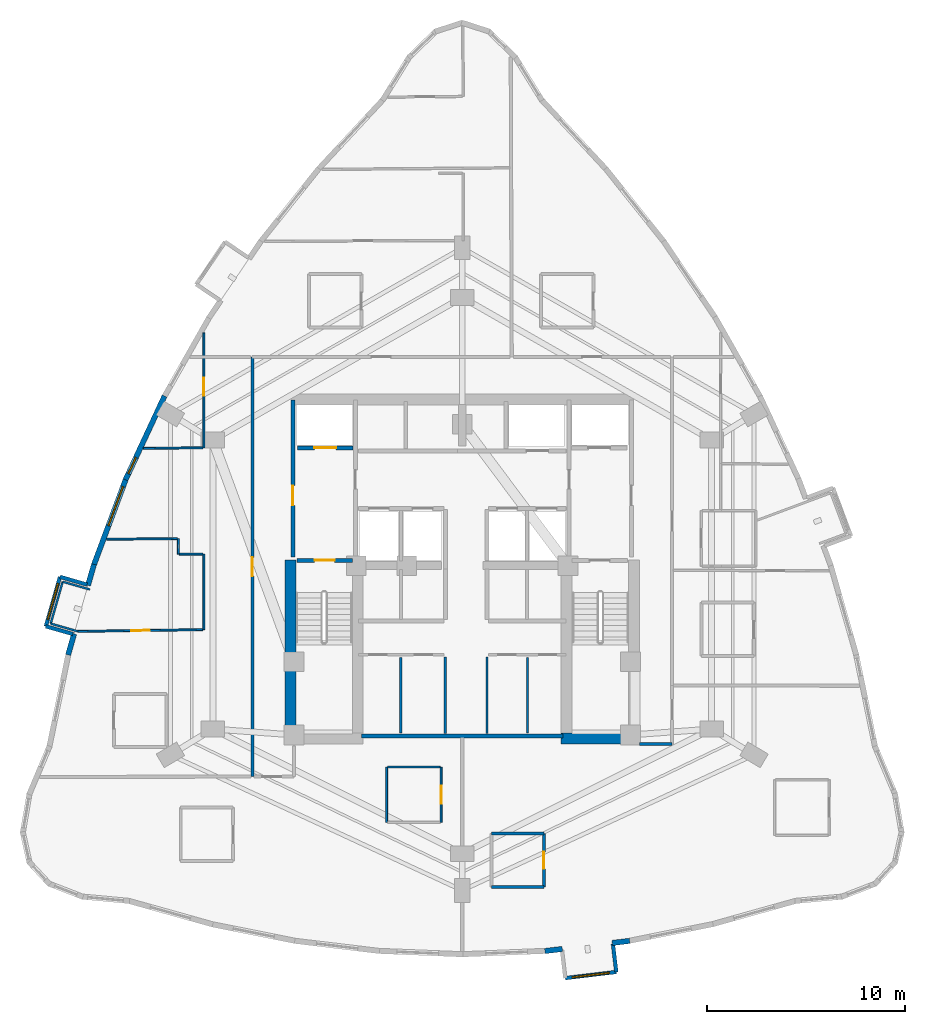
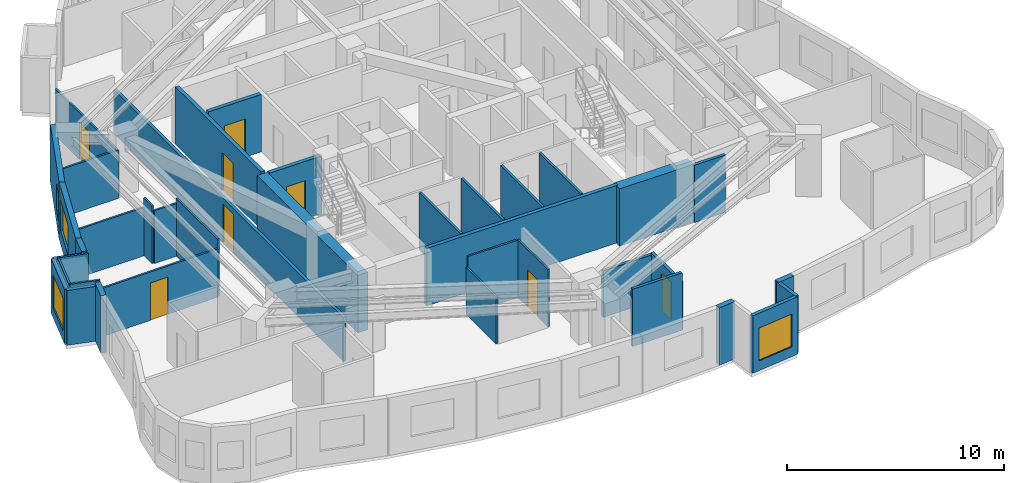
# One storey, part 6 of 11: 39 walls, 8 doors, 4 windows, 12 openings.
"""IFC4 building model written with IfcOpenShell, lengths in metres."""

from ifc_helpers import new_model, si_unit, direction, frame, frame_2d, origin, place, context, subcontext, project, spatial, rectangle, extrude, material, layer, layer_set, type_object, element, fill, save


model = new_model("IFC4")

# Units and contexts
model_context = context("Model", 3, precision=1e-05, world=origin(), true_north=direction((0.0, 1.0)))
body_context = subcontext(model_context, "Body", "Model", "MODEL_VIEW")
ifc_project = project(units=[si_unit("LENGTHUNIT", "METRE"), si_unit("AREAUNIT", "SQUARE_METRE"), si_unit("VOLUMEUNIT", "CUBIC_METRE"), si_unit("PLANEANGLEUNIT", "RADIAN"), si_unit("MASSUNIT", "GRAM", prefix="KILO")], contexts=[model_context])

# Site, building, storey
site_placement = place(None, origin())
site = spatial("IfcSite", under=ifc_project, at=site_placement, CompositionType="ELEMENT")
building_placement = place(site_placement, origin())
building = spatial("IfcBuilding", under=site, at=building_placement, Name="Miruveldt Soraemaru", CompositionType="ELEMENT")
storey_placement = place(building_placement, frame((0.0, 0.0, 100.39990234375)))
storey = spatial("IfcBuildingStorey", under=building, at=storey_placement, Name="L27", CompositionType="ELEMENT", Elevation=100.39990234375)

# Walls
ifc_material_1 = material(Name="White powder-coated aluminium EN AW-6060 T6", Category="aluminium")
ifc_layer_1 = layer(ifc_material_1, 0.18994140625, Name="White powder-coated aluminium EN AW-6060 T6", Category="aluminium")
ifc_layer_set_1 = layer_set([ifc_layer_1], Name="White powder-coated aluminium EN AW-6060 T6")
wall_type_1 = type_object("IfcWallType", Name="WALL-BAY-ALU190", PredefinedType="SOLIDWALL", material=ifc_layer_set_1)
for number, where, z_axis, x_axis, name in (
    (1, (25.050048828125, 43.095703125, 0.0), (0.0, 0.0, 1.0), (-0.961452801096, 0.274970018845, 0.0), "L27 Bay Window Side Cheek 2L"),
    (2, (22.965087890625, 40.98779296875, 0.0), (0.0, 0.0, 1.0), (0.961452801096, -0.274970018845, 0.0), "L27 Bay Window Side Cheek 2R"),
):
    element("IfcWall", number, at=place(storey_placement, frame(where, z_axis=z_axis, x_axis=x_axis)), inside=storey, type_object=wall_type_1, Name=name, PredefinedType="SOLIDWALL", context=body_context, shape_type="SweptSolid", body=[
        extrude(rectangle(XDim=1.425048828125, YDim=0.18994140625, at=frame_2d((0.71240234375, 0.0))), origin(), (0.0, 0.0, 1.0), 3.085205078125),
    ])

# Wall, opening, window
wall_1_placement = place(storey_placement, frame((23.679931640625, 43.487548828125, 0.0), z_axis=(0.0, 0.0, 1.0), x_axis=(-0.274944358644, -0.961460139397, 0.0)))
wall_1 = element("IfcWall", 3, at=wall_1_placement, inside=storey, type_object=wall_type_1, Name="L27 Bay Window Front Frame 2", PredefinedType="SOLIDWALL", context=body_context, shape_type="SweptSolid", body=[
    extrude(rectangle(XDim=2.599853515625, YDim=0.18994140625, at=frame_2d((1.2998046875, 0.0))), origin(), (0.0, 0.0, 1.0), 3.085205078125),
])
opening_1_placement = place(wall_1_placement, frame((0.35009765625, 0.0, 0.550048828125)))
opening_1 = element("IfcOpeningElement", 4, at=opening_1_placement, cuts=wall_1, Name="Opening WN-6", PredefinedType="OPENING", context=body_context, shape_type="SweptSolid", body=[
    extrude(rectangle(XDim=1.89990234375, YDim=1.85009765625, at=frame_2d((0.949951171875, 0.925048828125))), frame((0.0, 0.10498046875, 0.0), z_axis=(0.0, -1.0, 0.0), x_axis=(1.0, 0.0, 0.0)), (0.0, 0.0, 1.0), 0.2099609375),
])
ifc_material_2 = material(Name="Triple low-e insulated glazing", Category="glass")
window_type_1 = type_object("IfcWindowType", Name="WIN-BAYW-1900x1850", PartitioningType="SINGLE_PANEL", PredefinedType="WINDOW", material=ifc_material_2)
window_1_placement = place(opening_1_placement, origin())
window_1 = element("IfcWindow", 5, at=window_1_placement, inside=storey, type_object=window_type_1, Name="L27 Projecting Bay Window 2", OverallHeight=1.85009765625, OverallWidth=1.89990234375, PartitioningType="SINGLE_PANEL", PredefinedType="WINDOW", context=body_context, shape_type="SweptSolid", body=[
    extrude(rectangle(XDim=1.89990234375, YDim=1.85009765625, at=frame_2d((0.949951171875, 0.925048828125))), frame((0.0, 0.030029296875, 0.0), z_axis=(0.0, -1.0, 0.0), x_axis=(1.0, 0.0, 0.0)), (0.0, 0.0, 1.0), 0.06005859375),
])
fill(opening_1, window_1)

# Wall
wall_2_placement = place(storey_placement, frame((51.7841796875, 23.52587890625, 0.0), z_axis=(0.0, 0.0, 1.0), x_axis=(-0.119077659317, 0.992884943511, 0.0)))
element("IfcWall", 6, at=wall_2_placement, inside=storey, type_object=wall_type_1, Name="L27 Bay Window Side Cheek 3R", PredefinedType="SOLIDWALL", context=body_context, shape_type="SweptSolid", body=[
    extrude(rectangle(XDim=1.425048828125, YDim=0.18994140625, at=frame_2d((0.71240234375, 0.0))), origin(), (0.0, 0.0, 1.0), 3.235107421875),
])

# Wall, opening, window
wall_3_placement = place(storey_placement, frame((49.202880859375, 23.216064453125, 0.0), z_axis=(0.0, 0.0, 1.0), x_axis=(0.992874172121, 0.119167438232, 0.0)))
wall_3 = element("IfcWall", 7, at=wall_3_placement, inside=storey, type_object=wall_type_1, Name="L27 Bay Window Front Frame 3", PredefinedType="SOLIDWALL", context=body_context, shape_type="SweptSolid", body=[
    extrude(rectangle(XDim=2.599853515625, YDim=0.18994140625, at=frame_2d((1.2998046875, 0.0))), origin(), (0.0, 0.0, 1.0), 3.235107421875),
])
opening_2_placement = place(wall_3_placement, frame((0.35009765625, 0.0, 0.550048828125)))
opening_2 = element("IfcOpeningElement", 8, at=opening_2_placement, cuts=wall_3, Name="Opening WN-6", PredefinedType="OPENING", context=body_context, shape_type="SweptSolid", body=[
    extrude(rectangle(XDim=1.89990234375, YDim=1.85009765625, at=frame_2d((0.949951171875, 0.925048828125))), frame((0.0, 0.10498046875, 0.0), z_axis=(0.0, -1.0, 0.0), x_axis=(1.0, 0.0, 0.0)), (0.0, 0.0, 1.0), 0.2099609375),
])
window_2_placement = place(opening_2_placement, origin())
window_2 = element("IfcWindow", 9, at=window_2_placement, inside=storey, type_object=window_type_1, Name="L27 Projecting Bay Window 3", OverallHeight=1.85009765625, OverallWidth=1.89990234375, PartitioningType="SINGLE_PANEL", PredefinedType="WINDOW", context=body_context, shape_type="SweptSolid", body=[
    extrude(rectangle(XDim=1.89990234375, YDim=1.85009765625, at=frame_2d((0.949951171875, 0.925048828125))), frame((0.0, 0.030029296875, 0.0), z_axis=(0.0, -1.0, 0.0), x_axis=(1.0, 0.0, 0.0)), (0.0, 0.0, 1.0), 0.06005859375),
])
fill(opening_2, window_2)

# Walls
ifc_material_3 = material(Name="Concrete C70/85 (70 MPa)", Category="concrete")
ifc_layer_2 = layer(ifc_material_3, 0.550048828125, Name="Concrete C70/85 (70 MPa)", Category="concrete")
ifc_layer_set_2 = layer_set([ifc_layer_2], Name="Concrete C70/85 (70 MPa)")
wall_type_2 = type_object("IfcWallType", Name="WALL-CW-550", PredefinedType="SHEAR", material=ifc_layer_set_2)
wall_4_placement = place(storey_placement, frame((49.0, 35.324951171875, 0.0), z_axis=(0.0, 0.0, 1.0), x_axis=(1.0, 0.0, 0.0)))
element("IfcWall", 10, at=wall_4_placement, inside=storey, type_object=wall_type_2, Name="L27 Central Core Shear Wall S2", PredefinedType="SHEAR", context=body_context, shape_type="SweptSolid", body=[
    extrude(rectangle(XDim=3.949951171875, YDim=0.550048828125, at=frame_2d((1.97509765625, 0.0))), origin(), (0.0, 0.0, 1.0), 3.235107421875),
])
wall_5_placement = place(storey_placement, frame((35.324951171875, 35.050048828125, 0.0), z_axis=(0.0, 0.0, 1.0), x_axis=(0.0, 1.0, 0.0)))
element("IfcWall", 11, at=wall_5_placement, inside=storey, type_object=wall_type_2, Name="L27 Central Core Shear Wall W1", PredefinedType="SHEAR", context=body_context, shape_type="SweptSolid", body=[
    extrude(rectangle(XDim=9.300048828125, YDim=0.550048828125, at=frame_2d((4.64990234375, 0.0))), origin(), (0.0, 0.0, 1.0), 3.235107421875),
])

# Wall, opening, window
ifc_material_4 = material(Name="Precast concrete C45/55 (45 MPa)", Category="concrete")
ifc_layer_3 = layer(ifc_material_4, 0.27001953125, Name="Precast concrete C45/55 (45 MPa)", Category="concrete")
ifc_layer_set_3 = layer_set([ifc_layer_3], Name="Precast concrete C45/55 (45 MPa)")
wall_type_3 = type_object("IfcWallType", Name="WALL-EXT-PC270", PredefinedType="SOLIDWALL", material=ifc_layer_set_3)
wall_6_placement = place(storey_placement, frame((28.962646484375, 52.6220703125, 0.0), z_axis=(0.0, 0.0, 1.0), x_axis=(-0.422321486152, -0.906446116619, 0.0)))
wall_6 = element("IfcWall", 12, at=wall_6_placement, inside=storey, type_object=wall_type_3, Name="L27 Precast Concrete Facade Wall 11", PredefinedType="SOLIDWALL", context=body_context, shape_type="SweptSolid", body=[
    extrude(rectangle(XDim=4.669189453125, YDim=0.27001953125, at=frame_2d((2.33447265625, 0.0))), origin(), (0.0, 0.0, 1.0), 3.235107421875),
])
opening_3_placement = place(wall_6_placement, frame((3.427978515625, 0.0, 0.780029296875)))
opening_3 = element("IfcOpeningElement", 13, at=opening_3_placement, cuts=wall_6, Name="Opening WN-7", PredefinedType="OPENING", context=body_context, shape_type="SweptSolid", body=[
    extrude(rectangle(XDim=0.89990234375, YDim=1.5, at=frame_2d((0.449951171875, 0.75))), frame((0.0, 0.14501953125, 0.0), z_axis=(0.0, -1.0, 0.0), x_axis=(1.0, 0.0, 0.0)), (0.0, 0.0, 1.0), 0.2900390625),
])
window_type_2 = type_object("IfcWindowType", Name="WIN-PUNCH-900x1500", PartitioningType="SINGLE_PANEL", PredefinedType="WINDOW", material=ifc_material_2)
window_3_placement = place(opening_3_placement, origin())
window_3 = element("IfcWindow", 14, at=window_3_placement, inside=storey, type_object=window_type_2, Name="L27 Punched Triple-Glazed Window 11.1", OverallHeight=1.5, OverallWidth=0.89990234375, PartitioningType="SINGLE_PANEL", PredefinedType="WINDOW", context=body_context, shape_type="SweptSolid", body=[
    extrude(rectangle(XDim=0.89990234375, YDim=1.5, at=frame_2d((0.449951171875, 0.75))), frame((0.0, 0.030029296875, 0.0), z_axis=(0.0, -1.0, 0.0), x_axis=(1.0, 0.0, 0.0)), (0.0, 0.0, 1.0), 0.06005859375),
])
fill(opening_3, window_3)

wall_7_placement = place(storey_placement, frame((27.017578125, 48.4541015625, 0.0), z_axis=(0.0, 0.0, 1.0), x_axis=(-0.34900434997, -0.937121104074, 0.0)))
wall_7 = element("IfcWall", 15, at=wall_7_placement, inside=storey, type_object=wall_type_3, Name="L27 Precast Concrete Facade Wall 12", PredefinedType="SOLIDWALL", context=body_context, shape_type="SweptSolid", body=[
    extrude(rectangle(XDim=4.69873046875, YDim=0.27001953125, at=frame_2d((2.349365234375, 0.0))), origin(), (0.0, 0.0, 1.0), 3.235107421875),
])
opening_4_placement = place(wall_7_placement, frame((0.43798828125, 0.0, 0.800048828125)))
opening_4 = element("IfcOpeningElement", 16, at=opening_4_placement, cuts=wall_7, Name="Opening WN-1", PredefinedType="OPENING", context=body_context, shape_type="SweptSolid", body=[
    extrude(rectangle(XDim=2.10009765625, YDim=1.699951171875, at=frame_2d((1.050048828125, 0.85009765625))), frame((0.0, 0.14501953125, 0.0), z_axis=(0.0, -1.0, 0.0), x_axis=(1.0, 0.0, 0.0)), (0.0, 0.0, 1.0), 0.2900390625),
])
window_type_3 = type_object("IfcWindowType", Name="WIN-PUNCH-2100x1700", PartitioningType="SINGLE_PANEL", PredefinedType="WINDOW", material=ifc_material_2)
window_4_placement = place(opening_4_placement, origin())
window_4 = element("IfcWindow", 17, at=window_4_placement, inside=storey, type_object=window_type_3, Name="L27 Punched Triple-Glazed Window 12.1", OverallHeight=1.699951171875, OverallWidth=2.10009765625, PartitioningType="SINGLE_PANEL", PredefinedType="WINDOW", context=body_context, shape_type="SweptSolid", body=[
    extrude(rectangle(XDim=2.10009765625, YDim=1.699951171875, at=frame_2d((1.050048828125, 0.85009765625))), frame((0.0, 0.030029296875, 0.0), z_axis=(0.0, -1.0, 0.0), x_axis=(1.0, 0.0, 0.0)), (0.0, 0.0, 1.0), 0.06005859375),
])
fill(opening_4, window_4)

# Walls
for number, where, z_axis, x_axis, name in (
    (18, (25.3994140625, 44.117431640625, 0.0), (0.0, 0.0, 1.0), (-0.27489567614, -0.961474059577, 0.0), "L27 Precast Pier Wall 13A"),
    (19, (24.396240234375, 40.609619140625, 0.0), (0.0, 0.0, 1.0), (-0.27489567614, -0.961474059577, 0.0), "L27 Precast Pier Wall 13B"),
):
    element("IfcWall", number, at=place(storey_placement, frame(where, z_axis=z_axis, x_axis=x_axis)), inside=storey, type_object=wall_type_3, Name=name, PredefinedType="SOLIDWALL", context=body_context, shape_type="SweptSolid", body=[
        extrude(rectangle(XDim=1.1083984375, YDim=0.27001953125, at=frame_2d((0.55419921875, 0.0))), origin(), (0.0, 0.0, 1.0), 3.235107421875),
    ])
for number, where, z_axis, x_axis, name in (
    (20, (48.1767578125, 24.58349609375, 0.0), (0.0, 0.0, 1.0), (0.9928559604, 0.119319076007, 0.0), "L27 Precast Pier Wall 26A"),
    (21, (51.578125, 24.99169921875, 0.0), (0.0, 0.0, 1.0), (0.9928559604, 0.119319076007, 0.0), "L27 Precast Pier Wall 26B"),
):
    element("IfcWall", number, at=place(storey_placement, frame(where, z_axis=z_axis, x_axis=x_axis)), inside=storey, type_object=wall_type_3, Name=name, PredefinedType="SOLIDWALL", context=body_context, shape_type="SweptSolid", body=[
        extrude(rectangle(XDim=0.885986328125, YDim=0.27001953125, at=frame_2d((0.44287109375, 0.0))), origin(), (0.0, 0.0, 1.0), 3.235107421875),
    ])

# Wall, opening, door
ifc_material_5 = material(Name="Gypsum plasterboard lining", Category="gypsum")
ifc_layer_4 = layer(ifc_material_5, 0.10009765625, Name="Gypsum plasterboard lining", Category="gypsum")
ifc_layer_set_4 = layer_set([ifc_layer_4], Name="Gypsum plasterboard lining")
wall_type_4 = type_object("IfcWallType", Name="WALL-INT-P100", PredefinedType="PARTITIONING", material=ifc_layer_set_4)
wall_8_placement = place(storey_placement, frame((30.89990234375, 40.819091796875, 0.0), z_axis=(0.0, 0.0, 1.0), x_axis=(-0.999904708427, -0.013804856559, 0.0)))
wall_8 = element("IfcWall", 22, at=wall_8_placement, inside=storey, type_object=wall_type_4, Name="L27 Partition Wall 34", PredefinedType="PARTITIONING", context=body_context, shape_type="SweptSolid", body=[
    extrude(rectangle(XDim=6.3134765625, YDim=0.10009765625, at=frame_2d((3.15673828125, 0.0))), origin(), (0.0, 0.0, 1.0), 2.72314453125),
])
opening_5_placement = place(wall_8_placement, frame((2.697021484375, 0.0, 0.0)))
opening_5 = element("IfcOpeningElement", 23, at=opening_5_placement, cuts=wall_8, Name="Opening D3A", PredefinedType="OPENING", context=body_context, shape_type="SweptSolid", body=[
    extrude(rectangle(XDim=0.919921875, YDim=2.10009765625, at=frame_2d((0.4599609375, 1.050048828125))), frame((0.0, 0.06005859375, 0.0), z_axis=(0.0, -1.0, 0.0), x_axis=(1.0, 0.0, 0.0)), (0.0, 0.0, 1.0), 0.1201171875),
])
ifc_material_6 = material(Name="Anodised aluminium EN AW-6063 T6", Category="aluminium")
door_type_1 = type_object("IfcDoorType", Name="DOOR-INT-920", OperationType="NOTDEFINED", PredefinedType="DOOR", material=ifc_material_6)
door_1_placement = place(opening_5_placement, origin())
door_1 = element("IfcDoor", 24, at=door_1_placement, inside=storey, type_object=door_type_1, Name="L27 Unit 2703 BD1 Door", OperationType="SINGLE_SWING_RIGHT", OverallHeight=2.10009765625, OverallWidth=0.919921875, PredefinedType="DOOR", context=body_context, shape_type="SweptSolid", body=[
    extrude(rectangle(XDim=0.919921875, YDim=2.10009765625, at=frame_2d((0.4599609375, 1.050048828125))), frame((0.0, 0.02490234375, 0.0), z_axis=(0.0, -1.0, 0.0), x_axis=(1.0, 0.0, 0.0)), (0.0, 0.0, 1.0), 0.050048828125),
])
fill(opening_5, door_1)

wall_9_placement = place(storey_placement, frame((30.949951171875, 55.81591796875, 0.0), z_axis=(0.0, 0.0, 1.0), x_axis=(0.0, -1.0, 0.0)))
wall_9 = element("IfcWall", 25, at=wall_9_placement, inside=storey, type_object=wall_type_4, Name="L27 Partition Wall 35", PredefinedType="PARTITIONING", context=body_context, shape_type="SweptSolid", body=[
    extrude(rectangle(XDim=5.808837890625, YDim=0.10009765625, at=frame_2d((2.904296875, 0.0))), origin(), (0.0, 0.0, 1.0), 2.635009765625),
])
opening_6_placement = place(wall_9_placement, frame((2.264892578125, 0.0, 0.0)))
opening_6 = element("IfcOpeningElement", 26, at=opening_6_placement, cuts=wall_9, Name="Opening D3A", PredefinedType="OPENING", context=body_context, shape_type="SweptSolid", body=[
    extrude(rectangle(XDim=0.919921875, YDim=2.10009765625, at=frame_2d((0.4599609375, 1.050048828125))), frame((0.0, 0.06005859375, 0.0), z_axis=(0.0, -1.0, 0.0), x_axis=(1.0, 0.0, 0.0)), (0.0, 0.0, 1.0), 0.1201171875),
])
door_2_placement = place(opening_6_placement, origin())
door_2 = element("IfcDoor", 27, at=door_2_placement, inside=storey, type_object=door_type_1, Name="L27 Unit 2703 BD3 Door", OperationType="SINGLE_SWING_LEFT", OverallHeight=2.10009765625, OverallWidth=0.919921875, PredefinedType="DOOR", context=body_context, shape_type="SweptSolid", body=[
    extrude(rectangle(XDim=0.919921875, YDim=2.10009765625, at=frame_2d((0.4599609375, 1.050048828125))), frame((0.0, 0.02490234375, 0.0), z_axis=(0.0, -1.0, 0.0), x_axis=(1.0, 0.0, 0.0)), (0.0, 0.0, 1.0), 0.050048828125),
])
fill(opening_6, door_2)

wall_10_placement = place(storey_placement, frame((42.930908203125, 31.0810546875, 0.0), z_axis=(0.0, 0.0, 1.0), x_axis=(0.0, 1.0, 0.0)))
wall_10 = element("IfcWall", 28, at=wall_10_placement, inside=storey, type_object=wall_type_4, Name="L27 Partition Wall 57", PredefinedType="PARTITIONING", context=body_context, shape_type="SweptSolid", body=[
    extrude(rectangle(XDim=2.800048828125, YDim=0.10009765625, at=frame_2d((1.39990234375, 0.0))), origin(), (0.0, 0.0, 1.0), 3.235107421875),
])
opening_7_placement = place(wall_10_placement, frame((0.93994140625, 0.0, 0.0)))
opening_7 = element("IfcOpeningElement", 29, at=opening_7_placement, cuts=wall_10, Name="Opening D3A", PredefinedType="OPENING", context=body_context, shape_type="SweptSolid", body=[
    extrude(rectangle(XDim=0.919921875, YDim=2.10009765625, at=frame_2d((0.4599609375, 1.050048828125))), frame((0.0, 0.06005859375, 0.0), z_axis=(0.0, -1.0, 0.0), x_axis=(1.0, 0.0, 0.0)), (0.0, 0.0, 1.0), 0.1201171875),
])
door_3_placement = place(opening_7_placement, origin())
door_3 = element("IfcDoor", 30, at=door_3_placement, inside=storey, type_object=door_type_1, Name="L27 Unit CL05 KIT Door", OperationType="SINGLE_SWING_LEFT", OverallHeight=2.10009765625, OverallWidth=0.919921875, PredefinedType="DOOR", context=body_context, shape_type="SweptSolid", body=[
    extrude(rectangle(XDim=0.919921875, YDim=2.10009765625, at=frame_2d((0.4599609375, 1.050048828125))), frame((0.0, 0.02490234375, 0.0), z_axis=(0.0, -1.0, 0.0), x_axis=(1.0, 0.0, 0.0)), (0.0, 0.0, 1.0), 0.050048828125),
])
fill(opening_7, door_3)

# Walls
wall_11_placement = place(storey_placement, frame((30.949951171875, 44.6298828125, 0.0), z_axis=(0.0, 0.0, 1.0), x_axis=(0.0, -1.0, 0.0)))
element("IfcWall", 31, at=wall_11_placement, inside=storey, type_object=wall_type_4, Name="L27 Partition Wall 33", PredefinedType="PARTITIONING", context=body_context, shape_type="SweptSolid", body=[
    extrude(rectangle(XDim=3.809814453125, YDim=0.10009765625, at=frame_2d((1.90478515625, 0.0))), origin(), (0.0, 0.0, 1.0), 3.235107421875),
])
wall_12_placement = place(storey_placement, frame((26.035888671875, 45.388916015625, 0.0), z_axis=(0.0, 0.0, 1.0), x_axis=(0.999977108331, 0.006766299892, 0.0)))
element("IfcWall", 32, at=wall_12_placement, inside=storey, type_object=wall_type_4, Name="L27 Partition Wall 30", PredefinedType="PARTITIONING", context=body_context, shape_type="SweptSolid", body=[
    extrude(rectangle(XDim=3.572021484375, YDim=0.10009765625, at=frame_2d((1.7861328125, 0.0))), origin(), (0.0, 0.0, 1.0), 2.72314453125),
])
wall_13_placement = place(storey_placement, frame((30.89990234375, 50.007080078125, 0.0), z_axis=(0.0, 0.0, 1.0), x_axis=(-0.999950036249, -0.00999624955, 0.0)))
element("IfcWall", 33, at=wall_13_placement, inside=storey, type_object=wall_type_4, Name="L27 Partition Wall 36", PredefinedType="PARTITIONING", context=body_context, shape_type="SweptSolid", body=[
    extrude(rectangle(XDim=3.004150390625, YDim=0.10009765625, at=frame_2d((1.501953125, 0.0))), origin(), (0.0, 0.0, 1.0), 2.72314453125),
])
wall_14_placement = place(storey_placement, frame((40.180908203125, 33.881103515625, 0.0), z_axis=(0.0, 0.0, 1.0), x_axis=(0.0, -1.0, 0.0)))
element("IfcWall", 34, at=wall_14_placement, inside=storey, type_object=wall_type_4, Name="L27 Partition Wall 59", PredefinedType="PARTITIONING", context=body_context, shape_type="SweptSolid", body=[
    extrude(rectangle(XDim=2.800048828125, YDim=0.10009765625, at=frame_2d((1.39990234375, 0.0))), origin(), (0.0, 0.0, 1.0), 2.635009765625),
])
wall_15_placement = place(storey_placement, frame((42.881103515625, 33.881103515625, 0.0), z_axis=(0.0, 0.0, 1.0), x_axis=(-1.0, 0.0, 0.0)))
element("IfcWall", 35, at=wall_15_placement, inside=storey, type_object=wall_type_4, Name="L27 Partition Wall 58", PredefinedType="PARTITIONING", context=body_context, shape_type="SweptSolid", body=[
    extrude(rectangle(XDim=2.650146484375, YDim=0.10009765625, at=frame_2d((1.3251953125, 0.0))), origin(), (0.0, 0.0, 1.0), 3.235107421875),
])
wall_16_placement = place(storey_placement, frame((23.2119140625, 41.125, 0.0), z_axis=(0.0, 0.0, 1.0), x_axis=(0.275014276067, 0.961440142682, 0.0)))
element("IfcWall", 36, at=wall_16_placement, inside=storey, type_object=wall_type_4, Name="L27 Partition Wall 70", PredefinedType="PARTITIONING", context=body_context, shape_type="SweptSolid", body=[
    extrude(rectangle(XDim=2.19970703125, YDim=0.10009765625, at=frame_2d((1.099853515625, 0.0))), origin(), (0.0, 0.0, 1.0), 3.235107421875),
])
for number, where, z_axis, x_axis, name in (
    (37, (23.81689453125, 43.239990234375, 0.0), (0.0, 0.0, 1.0), (0.961485284931, -0.274856411353, 0.0), "L27 Partition Wall 71"),
    (38, (24.5869140625, 40.73193359375, 0.0), (0.0, 0.0, 1.0), (-0.961485284931, 0.274856411353, 0.0), "L27 Partition Wall 72"),
):
    element("IfcWall", number, at=place(storey_placement, frame(where, z_axis=z_axis, x_axis=x_axis)), inside=storey, type_object=wall_type_4, Name=name, PredefinedType="PARTITIONING", context=body_context, shape_type="SweptSolid", body=[
        extrude(rectangle(XDim=1.43017578125, YDim=0.10009765625, at=frame_2d((0.715087890625, 0.0))), origin(), (0.0, 0.0, 1.0), 3.235107421875),
    ])
wall_17_placement = place(storey_placement, frame((29.7080078125, 44.6298828125, 0.0), z_axis=(0.0, 0.0, 1.0), x_axis=(1.0, 0.0, 0.0)))
element("IfcWall", 39, at=wall_17_placement, inside=storey, type_object=wall_type_4, Name="L27 Partition Wall 32", PredefinedType="PARTITIONING", context=body_context, shape_type="SweptSolid", body=[
    extrude(rectangle(XDim=1.19189453125, YDim=0.10009765625, at=frame_2d((0.595947265625, 0.0))), origin(), (0.0, 0.0, 1.0), 2.97314453125),
])
wall_18_placement = place(storey_placement, frame((29.657958984375, 45.4130859375, 0.0), z_axis=(0.0, 0.0, 1.0), x_axis=(0.0, -1.0, 0.0)))
element("IfcWall", 40, at=wall_18_placement, inside=storey, type_object=wall_type_4, Name="L27 Partition Wall 31", PredefinedType="PARTITIONING", context=body_context, shape_type="SweptSolid", body=[
    extrude(rectangle(XDim=0.783203125, YDim=0.10009765625, at=frame_2d((0.3916015625, 0.0))), origin(), (0.0, 0.0, 1.0), 3.235107421875),
])
ifc_layer_5 = layer(ifc_material_5, 0.1201171875, Name="Gypsum plasterboard lining", Category="gypsum")
ifc_layer_set_5 = layer_set([ifc_layer_5], Name="Gypsum plasterboard lining")
wall_type_5 = type_object("IfcWallType", Name="WALL-INT-P120", PredefinedType="PARTITIONING", material=ifc_layer_set_5)
for number, where, z_axis, x_axis, name in (
    (41, (43.14990234375, 35.580078125, 0.0), (0.0, 0.0, 1.0), (0.0, 1.0, 0.0), "L27 Core Compartment Wall SP-WS"),
    (42, (45.25, 35.580078125, 0.0), (0.0, 0.0, 1.0), (0.0, 1.0, 0.0), "L27 Core Compartment Wall SP-ES"),
):
    element("IfcWall", number, at=place(storey_placement, frame(where, z_axis=z_axis, x_axis=x_axis)), inside=storey, type_object=wall_type_5, Name=name, PredefinedType="PARTITIONING", context=body_context, shape_type="SweptSolid", body=[
        extrude(rectangle(XDim=3.869873046875, YDim=0.1201171875, at=frame_2d((1.93505859375, 0.0))), origin(), (0.0, 0.0, 1.0), 3.235107421875),
    ])
for number, where, z_axis, x_axis, name in (
    (43, (40.89990234375, 35.60009765625, 0.0), (0.0, 0.0, 1.0), (0.0, 1.0, 0.0), "L27 Core Compartment Wall CW2-V"),
    (44, (47.300048828125, 35.60009765625, 0.0), (0.0, 0.0, 1.0), (0.0, 1.0, 0.0), "L27 Core Compartment Wall CE2-V"),
):
    element("IfcWall", number, at=place(storey_placement, frame(where, z_axis=z_axis, x_axis=x_axis)), inside=storey, type_object=wall_type_5, Name=name, PredefinedType="PARTITIONING", context=body_context, shape_type="SweptSolid", body=[
        extrude(rectangle(XDim=3.81982421875, YDim=0.1201171875, at=frame_2d((1.909912109375, 0.0))), origin(), (0.0, 0.0, 1.0), 3.235107421875),
    ])

# Wall, opening, door
ifc_layer_6 = layer(ifc_material_5, 0.14990234375, Name="Gypsum plasterboard lining", Category="gypsum")
ifc_layer_set_6 = layer_set([ifc_layer_6], Name="Gypsum plasterboard lining")
wall_type_6 = type_object("IfcWallType", Name="WALL-INT-PLUMB", PredefinedType="PLUMBINGWALL", material=ifc_layer_set_6)
wall_19_placement = place(storey_placement, frame((48.1298828125, 27.8310546875, 0.0), z_axis=(0.0, 0.0, 1.0), x_axis=(0.0, 1.0, 0.0)))
wall_19 = element("IfcWall", 45, at=wall_19_placement, inside=storey, type_object=wall_type_6, Name="L27 Partition Wall 62", PredefinedType="PLUMBINGWALL", context=body_context, shape_type="SweptSolid", body=[
    extrude(rectangle(XDim=2.699951171875, YDim=0.14990234375, at=frame_2d((1.35009765625, 0.0))), origin(), (0.0, 0.0, 1.0), 2.72314453125),
])
opening_8_placement = place(wall_19_placement, frame((0.909912109375, 0.0, 0.0)))
opening_8 = element("IfcOpeningElement", 46, at=opening_8_placement, cuts=wall_19, Name="Opening FD3", PredefinedType="OPENING", context=body_context, shape_type="SweptSolid", body=[
    extrude(rectangle(XDim=0.85009765625, YDim=2.10009765625, at=frame_2d((0.425048828125, 1.050048828125))), frame((0.0, 0.0849609375, 0.0), z_axis=(0.0, -1.0, 0.0), x_axis=(1.0, 0.0, 0.0)), (0.0, 0.0, 1.0), 0.169921875),
])
door_type_2 = type_object("IfcDoorType", Name="DOOR-FD3-850", OperationType="NOTDEFINED", PredefinedType="DOOR", material=ifc_material_6)
door_4_placement = place(opening_8_placement, origin())
door_4 = element("IfcDoor", 47, at=door_4_placement, inside=storey, type_object=door_type_2, Name="L27 Unit CL06 BTH Door", OperationType="SINGLE_SWING_LEFT", OverallHeight=2.10009765625, OverallWidth=0.85009765625, PredefinedType="DOOR", context=body_context, shape_type="SweptSolid", body=[
    extrude(rectangle(XDim=0.85009765625, YDim=2.10009765625, at=frame_2d((0.425048828125, 1.050048828125))), frame((0.0, 0.02490234375, 0.0), z_axis=(0.0, -1.0, 0.0), x_axis=(1.0, 0.0, 0.0)), (0.0, 0.0, 1.0), 0.050048828125),
])
fill(opening_8, door_4)

# Walls
wall_20_placement = place(storey_placement, frame((48.1298828125, 30.531005859375, 0.0), z_axis=(0.0, 0.0, 1.0), x_axis=(-1.0, 0.0, 0.0)))
element("IfcWall", 48, at=wall_20_placement, inside=storey, type_object=wall_type_6, Name="L27 Partition Wall 63", PredefinedType="PLUMBINGWALL", context=body_context, shape_type="SweptSolid", body=[
    extrude(rectangle(XDim=2.64990234375, YDim=0.14990234375, at=frame_2d((1.324951171875, 0.0))), origin(), (0.0, 0.0, 1.0), 2.635009765625),
])
wall_21_placement = place(storey_placement, frame((45.47998046875, 27.8310546875, 0.0), z_axis=(0.0, 0.0, 1.0), x_axis=(1.0, 0.0, 0.0)))
element("IfcWall", 49, at=wall_21_placement, inside=storey, type_object=wall_type_6, Name="L27 Partition Wall 65", PredefinedType="PLUMBINGWALL", context=body_context, shape_type="SweptSolid", body=[
    extrude(rectangle(XDim=2.64990234375, YDim=0.14990234375, at=frame_2d((1.324951171875, 0.0))), origin(), (0.0, 0.0, 1.0), 3.235107421875),
])

# Wall, opening, door
ifc_material_7 = material(Name="Concrete C40/50 (40 MPa)", Category="concrete")
ifc_layer_7 = layer(ifc_material_7, 0.159912109375, Name="Concrete C40/50 (40 MPa)", Category="concrete")
ifc_layer_set_7 = layer_set([ifc_layer_7], Name="Concrete C40/50 (40 MPa)")
wall_type_7 = type_object("IfcWallType", Name="WALL-INT-RC160", PredefinedType="SOLIDWALL", material=ifc_layer_set_7)
wall_22_placement = place(storey_placement, frame((33.39990234375, 54.595947265625, 0.0), z_axis=(0.0, 0.0, 1.0), x_axis=(0.0, -1.0, 0.0)))
wall_22 = element("IfcWall", 50, at=wall_22_placement, inside=storey, type_object=wall_type_7, Name="L27 Partition Wall 3", PredefinedType="SOLIDWALL", context=body_context, shape_type="SweptSolid", body=[
    extrude(rectangle(XDim=21.19189453125, YDim=0.159912109375, at=frame_2d((10.595947265625, 0.0))), origin(), (0.0, 0.0, 1.0), 2.47314453125),
])
opening_9_placement = place(wall_22_placement, frame((10.12109375, 0.0, 0.0)))
opening_9 = element("IfcOpeningElement", 51, at=opening_9_placement, cuts=wall_22, Name="Opening FD2", PredefinedType="OPENING", context=body_context, shape_type="SweptSolid", body=[
    extrude(rectangle(XDim=0.949951171875, YDim=2.14990234375, at=frame_2d((0.47509765625, 1.074951171875))), frame((0.0, 0.08984375, 0.0), z_axis=(0.0, -1.0, 0.0), x_axis=(1.0, 0.0, 0.0)), (0.0, 0.0, 1.0), 0.179931640625),
])
door_type_3 = type_object("IfcDoorType", Name="DOOR-FD2-950", OperationType="NOTDEFINED", PredefinedType="DOOR", material=ifc_material_6)
door_5_placement = place(opening_9_placement, origin())
door_5 = element("IfcDoor", 52, at=door_5_placement, inside=storey, type_object=door_type_3, Name="L27 Unit 2703 Entrance Fire Door", OperationType="SINGLE_SWING_RIGHT", OverallHeight=2.14990234375, OverallWidth=0.949951171875, PredefinedType="DOOR", context=body_context, shape_type="SweptSolid", body=[
    extrude(rectangle(XDim=0.949951171875, YDim=2.14990234375, at=frame_2d((0.47509765625, 1.074951171875))), frame((0.0, 0.02490234375, 0.0), z_axis=(0.0, -1.0, 0.0), x_axis=(1.0, 0.0, 0.0)), (0.0, 0.0, 1.0), 0.050048828125),
])
fill(opening_9, door_5)

# Wall
wall_23_placement = place(storey_placement, frame((52.946044921875, 35.050048828125, 0.0), z_axis=(0.0, 0.0, 1.0), x_axis=(1.0, 0.0, 0.0)))
element("IfcWall", 53, at=wall_23_placement, inside=storey, type_object=wall_type_7, Name="L27 Partition Wall 7", PredefinedType="SOLIDWALL", context=body_context, shape_type="SweptSolid", body=[
    extrude(rectangle(XDim=1.654052734375, YDim=0.159912109375, at=frame_2d((0.8271484375, 0.0))), origin(), (0.0, 0.0, 1.0), 3.235107421875),
])

# Wall, opening, door
ifc_layer_8 = layer(ifc_material_7, 0.199951171875, Name="Concrete C40/50 (40 MPa)", Category="concrete")
ifc_layer_set_8 = layer_set([ifc_layer_8], Name="Concrete C40/50 (40 MPa)")
wall_type_8 = type_object("IfcWallType", Name="WALL-INT-RC200", PredefinedType="SOLIDWALL", material=ifc_layer_set_8)
wall_24_placement = place(storey_placement, frame((35.449951171875, 44.5, 0.0), z_axis=(0.0, 0.0, 1.0), x_axis=(0.0, 1.0, 0.0)))
wall_24 = element("IfcWall", 54, at=wall_24_placement, inside=storey, type_object=wall_type_8, Name="L27 Core Compartment Wall FFW-OUT", PredefinedType="SOLIDWALL", context=body_context, shape_type="SweptSolid", body=[
    extrude(rectangle(XDim=7.919921875, YDim=0.199951171875, at=frame_2d((3.9599609375, 0.0))), origin(), (0.0, 0.0, 1.0), 3.235107421875),
])
opening_10_placement = place(wall_24_placement, frame((2.60009765625, 0.0, 0.0)))
opening_10 = element("IfcOpeningElement", 55, at=opening_10_placement, cuts=wall_24, Name="Opening FD1", PredefinedType="OPENING", context=body_context, shape_type="SweptSolid", body=[
    extrude(rectangle(XDim=1.0, YDim=2.14990234375, at=frame_2d((0.5, 1.074951171875))), frame((0.0, 0.10986328125, 0.0), z_axis=(0.0, -1.0, 0.0), x_axis=(1.0, 0.0, 0.0)), (0.0, 0.0, 1.0), 0.219970703125),
])
door_type_4 = type_object("IfcDoorType", Name="DOOR-FD1-1000", OperationType="NOTDEFINED", PredefinedType="DOOR", material=ifc_material_6)
door_6_placement = place(opening_10_placement, origin())
door_6 = element("IfcDoor", 56, at=door_6_placement, inside=storey, type_object=door_type_4, Name="L27 West Firefighting Lobby Exit Door", OperationType="SINGLE_SWING_LEFT", OverallHeight=2.14990234375, OverallWidth=1.0, PredefinedType="DOOR", context=body_context, shape_type="SweptSolid", body=[
    extrude(rectangle(XDim=1.0, YDim=2.14990234375, at=frame_2d((0.5, 1.074951171875))), frame((0.0, 0.02490234375, 0.0), z_axis=(0.0, -1.0, 0.0), x_axis=(1.0, 0.0, 0.0)), (0.0, 0.0, 1.0), 0.050048828125),
])
fill(opening_10, door_6)

wall_25_placement = place(storey_placement, frame((35.64990234375, 44.320068359375, 0.0), z_axis=(0.0, 0.0, 1.0), x_axis=(1.0, 0.0, 0.0)))
wall_25 = element("IfcWall", 57, at=wall_25_placement, inside=storey, type_object=wall_type_8, Name="L27 Core Compartment Wall ST1-N", PredefinedType="SOLIDWALL", context=body_context, shape_type="SweptSolid", body=[
    extrude(rectangle(XDim=2.800048828125, YDim=0.199951171875, at=frame_2d((1.39990234375, 0.0))), origin(), (0.0, 0.0, 1.0), 3.235107421875),
])
opening_11_placement = place(wall_25_placement, frame((0.89990234375, 0.0, 0.0)))
opening_11 = element("IfcOpeningElement", 58, at=opening_11_placement, cuts=wall_25, Name="Opening FD1", PredefinedType="OPENING", context=body_context, shape_type="SweptSolid", body=[
    extrude(rectangle(XDim=1.0, YDim=2.14990234375, at=frame_2d((0.5, 1.074951171875))), frame((0.0, 0.10986328125, 0.0), z_axis=(0.0, -1.0, 0.0), x_axis=(1.0, 0.0, 0.0)), (0.0, 0.0, 1.0), 0.219970703125),
])
door_7_placement = place(opening_11_placement, frame((1.0, 0.0, 0.0), z_axis=(0.0, 0.0, 1.0), x_axis=(-1.0, 0.0, 0.0)))
door_7 = element("IfcDoor", 59, at=door_7_placement, inside=storey, type_object=door_type_4, Name="L27 Stair ST-1 Fire Door", OperationType="SINGLE_SWING_LEFT", OverallHeight=2.14990234375, OverallWidth=1.0, PredefinedType="DOOR", context=body_context, shape_type="SweptSolid", body=[
    extrude(rectangle(XDim=1.0, YDim=2.14990234375, at=frame_2d((0.5, 1.074951171875))), frame((0.0, 0.02490234375, 0.0), z_axis=(0.0, -1.0, 0.0), x_axis=(1.0, 0.0, 0.0)), (0.0, 0.0, 1.0), 0.050048828125),
])
fill(opening_11, door_7)

wall_26_placement = place(storey_placement, frame((35.679931640625, 50.0, 0.0), z_axis=(0.0, 0.0, 1.0), x_axis=(1.0, 0.0, 0.0)))
wall_26 = element("IfcWall", 60, at=wall_26_placement, inside=storey, type_object=wall_type_8, Name="L27 Core Compartment Wall FFL1-S", PredefinedType="SOLIDWALL", context=body_context, shape_type="SweptSolid", body=[
    extrude(rectangle(XDim=2.800048828125, YDim=0.199951171875, at=frame_2d((1.39990234375, 0.0))), origin(), (0.0, 0.0, 1.0), 3.235107421875),
])
opening_12_placement = place(wall_26_placement, frame((0.85009765625, 0.0, 0.0)))
opening_12 = element("IfcOpeningElement", 61, at=opening_12_placement, cuts=wall_26, Name="Opening LD2", PredefinedType="OPENING", context=body_context, shape_type="SweptSolid", body=[
    extrude(rectangle(XDim=1.10009765625, YDim=2.14990234375, at=frame_2d((0.550048828125, 1.074951171875))), frame((0.0, 0.10986328125, 0.0), z_axis=(0.0, -1.0, 0.0), x_axis=(1.0, 0.0, 0.0)), (0.0, 0.0, 1.0), 0.219970703125),
])
door_type_5 = type_object("IfcDoorType", Name="DOOR-LD2-1100", OperationType="SLIDING_TO_LEFT", PredefinedType="DOOR", material=ifc_material_6)
door_8_placement = place(opening_12_placement, origin())
door_8 = element("IfcDoor", 62, at=door_8_placement, inside=storey, type_object=door_type_5, Name="L27 FFL-1 Landing Door", OperationType="SLIDING_TO_LEFT", OverallHeight=2.14990234375, OverallWidth=1.10009765625, PredefinedType="DOOR", context=body_context, shape_type="SweptSolid", body=[
    extrude(rectangle(XDim=1.10009765625, YDim=2.14990234375, at=frame_2d((0.550048828125, 1.074951171875))), frame((0.0, 0.02490234375, 0.0), z_axis=(0.0, -1.0, 0.0), x_axis=(1.0, 0.0, 0.0)), (0.0, 0.0, 1.0), 0.050048828125),
])
fill(opening_12, door_8)

# Wall
wall_27_placement = place(storey_placement, frame((38.89990234375, 35.449951171875, 0.0), z_axis=(0.0, 0.0, 1.0), x_axis=(1.0, 0.0, 0.0)))
element("IfcWall", 63, at=wall_27_placement, inside=storey, type_object=wall_type_8, Name="L27 Core Compartment Wall CS-S", PredefinedType="SOLIDWALL", context=body_context, shape_type="SweptSolid", body=[
    extrude(rectangle(XDim=10.2001953125, YDim=0.199951171875, at=frame_2d((5.10009765625, 0.0))), origin(), (0.0, 0.0, 1.0), 3.235107421875),
])

save(model, "model.ifc")
